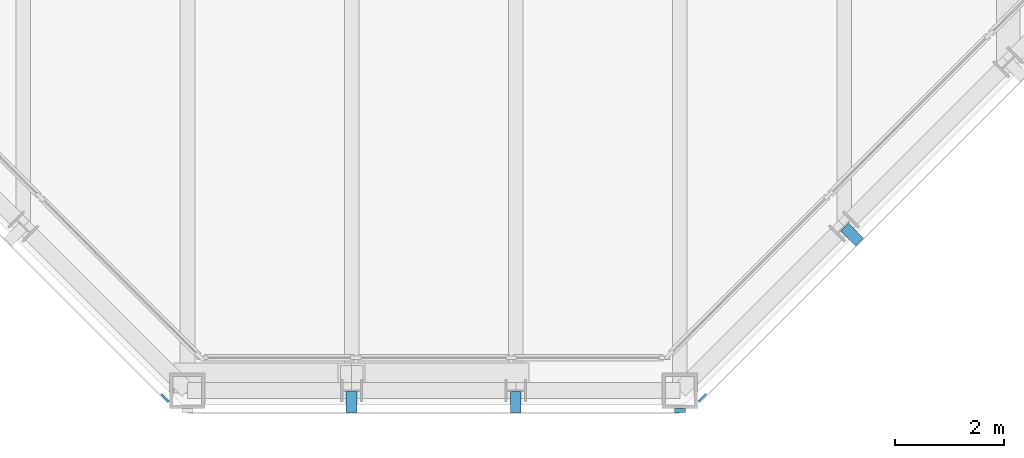
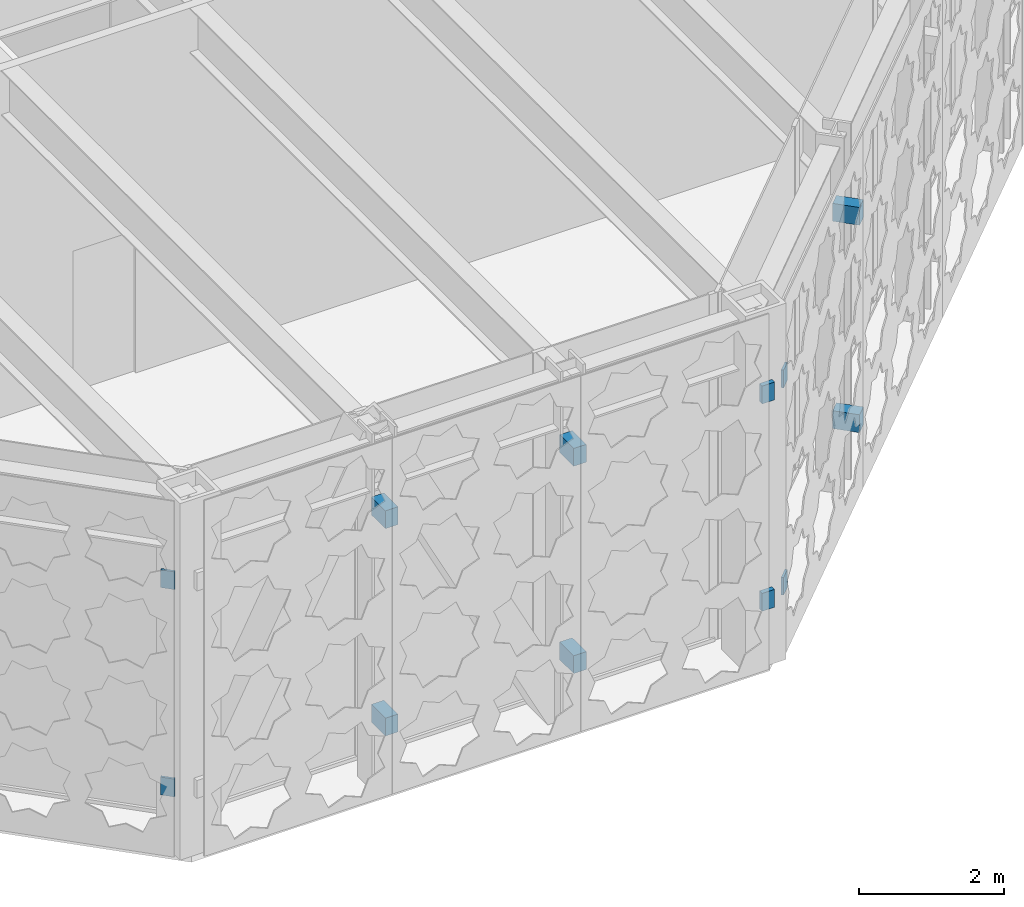
# One storey, part 13 of 28: 12 discrete accessories.
"""IFC4 building model written with IfcOpenShell, lengths in metres."""

from ifc_helpers import new_model, si_unit, direction, frame, origin, origin_2d, place, context, subcontext, project, spatial, rectangle, extrude, material, type_object, element, save


model = new_model("IFC4")

# Units and contexts
model_context = context("Model", 3, precision=1e-05, world=origin(), true_north=direction((0.0, 1.0)))
body_context = subcontext(model_context, "Body", "Model", "MODEL_VIEW")
ifc_project = project(units=[si_unit("LENGTHUNIT", "METRE"), si_unit("AREAUNIT", "SQUARE_METRE"), si_unit("VOLUMEUNIT", "CUBIC_METRE"), si_unit("PLANEANGLEUNIT", "RADIAN"), si_unit("MASSUNIT", "GRAM", prefix="KILO")], contexts=[model_context])

# Site, building, storey
site_placement = place(None, origin())
site = spatial("IfcSite", under=ifc_project, at=site_placement, CompositionType="ELEMENT")
building_placement = place(site_placement, origin())
building = spatial("IfcBuilding", under=site, at=building_placement, Name="Chuquiago Exchange Tower", CompositionType="ELEMENT")
storey_placement = place(building_placement, frame((0.0, 0.0, 300.0)))
storey = spatial("IfcBuildingStorey", under=building, at=storey_placement, Name="L67", CompositionType="ELEMENT", Elevation=300.0)

# Discrete accessories
ifc_material_1 = material(Name="Stainless steel plate bracket", Category="steel")
discrete_accessory_type_1 = type_object("IfcDiscreteAccessoryType", Name="GB1 cladding bracket 388", PredefinedType="BRACKET", material=ifc_material_1)
for number, where, z_axis, x_axis, name in (
    (1, (21.0, -0.206298828125, 1.0048828125), (0.0, 0.0, 1.0), (1.0, 0.0, 0.0), "Cladding bracket L67 S"),
    (2, (21.0, -0.206298828125, 4.4951171875), (0.0, 0.0, 1.0), (1.0, 0.0, 0.0), "Cladding bracket L67 S"),
    (3, (24.0, -0.206298828125, 1.0048828125), (0.0, 0.0, 1.0), (1.0, 0.0, 0.0), "Cladding bracket L67 S"),
    (4, (24.0, -0.206298828125, 4.4951171875), (0.0, 0.0, 1.0), (1.0, 0.0, 0.0), "Cladding bracket L67 S"),
):
    element("IfcDiscreteAccessory", number, at=place(storey_placement, frame(where, z_axis=z_axis, x_axis=x_axis)), inside=storey, type_object=discrete_accessory_type_1, Name=name, PredefinedType="BRACKET", context=body_context, shape_type="SweptSolid", body=[
        extrude(rectangle(XDim=0.199951171875, YDim=0.3876953125, at=origin_2d()), origin(), (0.0, 0.0, 1.0), 0.300048828125),
    ])
ifc_material_2 = material(Name="Stainless steel plate bracket", Category="steel")
discrete_accessory_type_2 = type_object("IfcDiscreteAccessoryType", Name="GB2 cladding bracket 386", PredefinedType="BRACKET", material=ifc_material_2)
for number, where, z_axis, x_axis, name in (
    (5, (30.146240234375, 2.853759765625, 1.0048828125), (0.0, 0.0, 1.0), (0.707106781187, 0.707106781187, 0.0), "Cladding bracket L67 SE"),
    (6, (30.146240234375, 2.853759765625, 4.4951171875), (0.0, 0.0, 1.0), (0.707106781187, 0.707106781187, 0.0), "Cladding bracket L67 SE"),
):
    element("IfcDiscreteAccessory", number, at=place(storey_placement, frame(where, z_axis=z_axis, x_axis=x_axis)), inside=storey, type_object=discrete_accessory_type_2, Name=name, PredefinedType="BRACKET", context=body_context, shape_type="SweptSolid", body=[
        extrude(rectangle(XDim=0.199951171875, YDim=0.386474609375, at=origin_2d()), origin(), (0.0, 0.0, 1.0), 0.300048828125),
    ])
ifc_material_3 = material(Name="Stainless steel plate bracket", Category="steel")
discrete_accessory_type_3 = type_object("IfcDiscreteAccessoryType", Name="GB4 cladding bracket 75", PredefinedType="BRACKET", material=ifc_material_3)
for number, where, z_axis, x_axis, name in (
    (7, (27.0, -0.362548828125, 1.0048828125), (0.0, 0.0, 1.0), (1.0, 0.0, 0.0), "Cladding bracket L67 S"),
    (8, (27.0, -0.362548828125, 4.4951171875), (0.0, 0.0, 1.0), (1.0, 0.0, 0.0), "Cladding bracket L67 S"),
):
    element("IfcDiscreteAccessory", number, at=place(storey_placement, frame(where, z_axis=z_axis, x_axis=x_axis)), inside=storey, type_object=discrete_accessory_type_3, Name=name, PredefinedType="BRACKET", context=body_context, shape_type="SweptSolid", body=[
        extrude(rectangle(XDim=0.199951171875, YDim=0.074951171875, at=origin_2d()), origin(), (0.0, 0.0, 1.0), 0.300048828125),
    ])
ifc_material_4 = material(Name="Stainless steel plate bracket", Category="steel")
discrete_accessory_type_4 = type_object("IfcDiscreteAccessoryType", Name="GB6 cladding bracket 35", PredefinedType="BRACKET", material=ifc_material_4)
for number, where, z_axis, x_axis, name in (
    (9, (27.408203125, -0.13232421875, 1.0048828125), (0.0, 0.0, 1.0), (0.707106781187, 0.707106781187, 0.0), "Cladding bracket L67 SE"),
    (10, (27.408203125, -0.13232421875, 4.4951171875), (0.0, 0.0, 1.0), (0.707106781187, 0.707106781187, 0.0), "Cladding bracket L67 SE"),
    (11, (17.591796875, -0.132568359375, 1.0048828125), (0.0, 0.0, 1.0), (0.707106781187, -0.707106781187, 0.0), "Cladding bracket L67 SW"),
    (12, (17.591796875, -0.132568359375, 4.4951171875), (0.0, 0.0, 1.0), (0.707106781187, -0.707106781187, 0.0), "Cladding bracket L67 SW"),
):
    element("IfcDiscreteAccessory", number, at=place(storey_placement, frame(where, z_axis=z_axis, x_axis=x_axis)), inside=storey, type_object=discrete_accessory_type_4, Name=name, PredefinedType="BRACKET", context=body_context, shape_type="SweptSolid", body=[
        extrude(rectangle(XDim=0.199951171875, YDim=0.035400390625, at=origin_2d()), origin(), (0.0, 0.0, 1.0), 0.300048828125),
    ])

save(model, "model.ifc")
